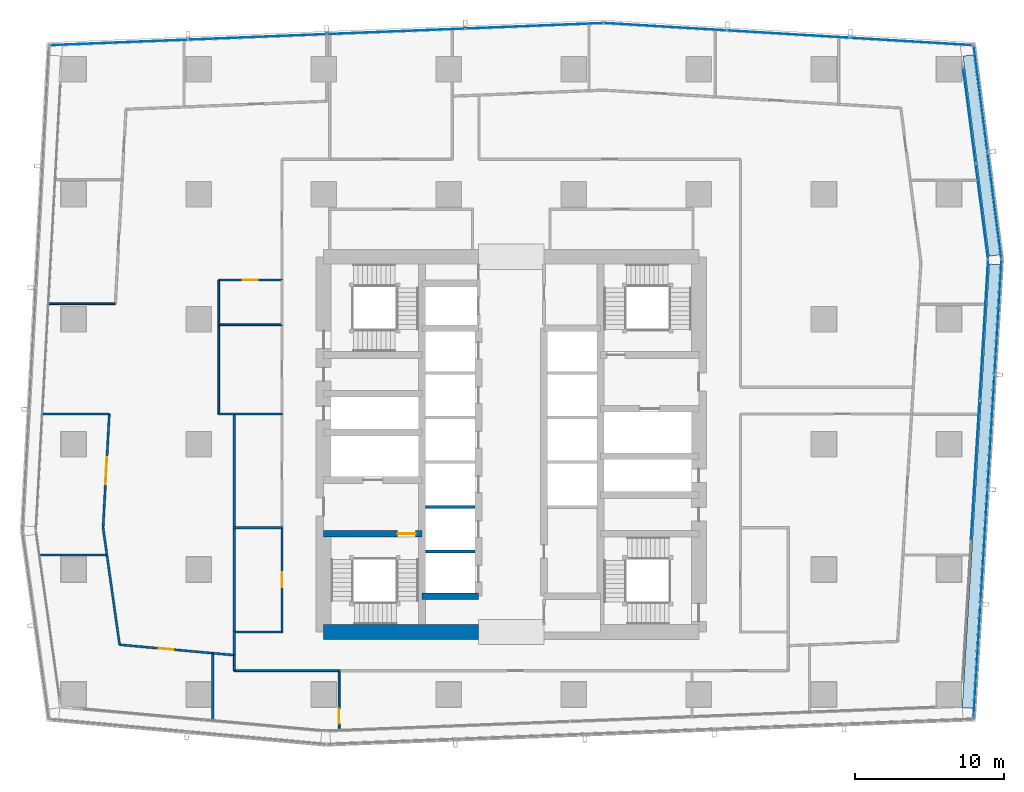
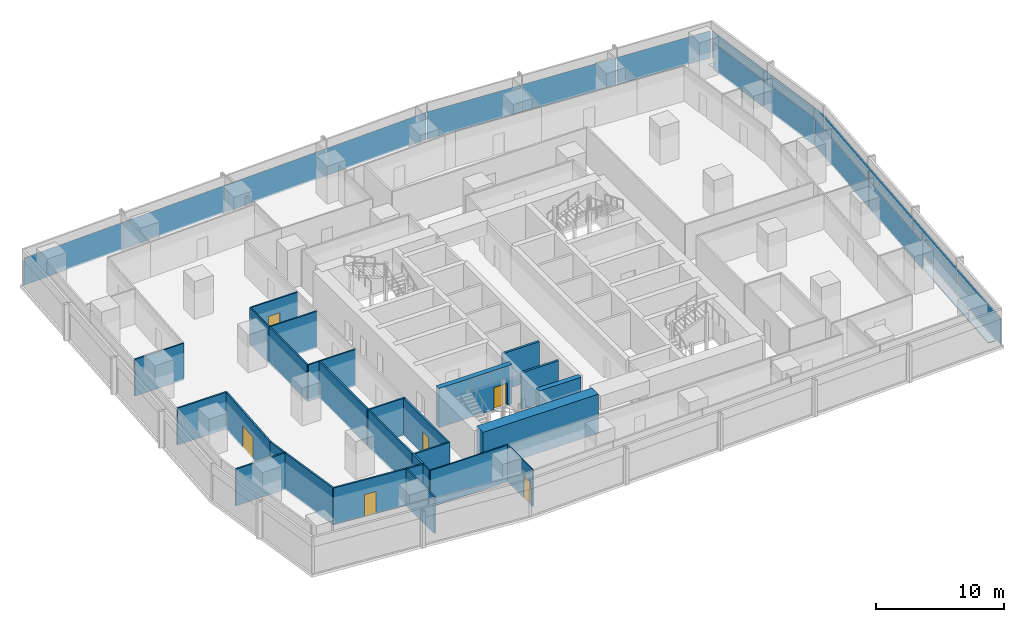
# One storey, part 28 of 40: 28 walls, 19 plates, 6 doors, 6 openings, 6 elements without a shape of their own.
"""IFC4 building model written with IfcOpenShell, lengths in metres."""

from ifc_helpers import new_model, si_unit, direction, frame, frame_2d, origin, origin_2d, place, context, subcontext, project, spatial, rectangle, extrude, material, layer, layer_set, type_object, element, fill, aggregate, save


model = new_model("IFC4")

# Units and contexts
model_context = context("Model", 3, precision=1e-05, world=origin(), true_north=direction((0.0, 1.0)))
body_context = subcontext(model_context, "Body", "Model", "MODEL_VIEW")
ifc_project = project(units=[si_unit("LENGTHUNIT", "METRE"), si_unit("AREAUNIT", "SQUARE_METRE"), si_unit("VOLUMEUNIT", "CUBIC_METRE"), si_unit("PLANEANGLEUNIT", "RADIAN"), si_unit("MASSUNIT", "GRAM", prefix="KILO")], contexts=[model_context])

# Site, building, storey
site_placement = place(None, origin())
site = spatial("IfcSite", under=ifc_project, at=site_placement, CompositionType="ELEMENT")
building_placement = place(site_placement, origin())
building = spatial("IfcBuilding", under=site, at=building_placement, Name="Rekha Terrace Tower", CompositionType="ELEMENT")
storey_placement = place(building_placement, frame((0.0, 0.0, 102.800048828125)))
storey = spatial("IfcBuildingStorey", under=building, at=storey_placement, Name="L25", CompositionType="ELEMENT", Elevation=102.800048828125)

# Curtain wall, plates
ifc_material_1 = material(Name="Aluminium framing", Category="aluminium")
curtain_wall_type_1 = type_object("IfcCurtainWallType", Name="CW1 double skin inner glazing", PredefinedType="USERDEFINED", material=ifc_material_1)
curtain_wall_1_placement = place(storey_placement, origin())
curtain_wall_1 = element("IfcCurtainWall", 1, at=curtain_wall_1_placement, inside=storey, type_object=curtain_wall_type_1, Name="CW1 double skin inner glazing", ObjectType="DOUBLE SKIN INNER GLAZING", PredefinedType="USERDEFINED")
ifc_material_2 = material(Name="Double-glazed low-e unit 32", Category="glass")
ifc_layer_1 = layer(ifc_material_2, 0.031982421875)
ifc_layer_set_1 = layer_set([ifc_layer_1], Name="Double-glazed low-e unit 32")
plate_type_1 = type_object("IfcPlateType", Name="CW1 jumbo vision panel, double-glazed low-e unit 32", PredefinedType="CURTAIN_PANEL", material=ifc_layer_set_1)
plate_1_placement = place(storey_placement, frame((68.968505859375, 31.8193359375, 0.0), z_axis=(0.0, 0.0, 1.0), x_axis=(0.061159803131, 0.998127987024, 0.0)))
plate_1 = element("IfcPlate", 2, at=plate_1_placement, type_object=plate_type_1, Name="CW1 panel 2.1", PredefinedType="CURTAIN_PANEL", context=body_context, shape_type="SweptSolid", body=[
    extrude(rectangle(XDim=9.3876953125, YDim=0.031982421875, at=origin_2d()), origin(), (0.0, 0.0, 1.0), 2.60009765625),
])
plate_2_placement = place(storey_placement, frame((69.547607421875, 41.2705078125, 0.0), z_axis=(0.0, 0.0, 1.0), x_axis=(0.061159803131, 0.998127987024, 0.0)))
plate_2 = element("IfcPlate", 3, at=plate_2_placement, type_object=plate_type_1, Name="CW1 panel 3.1", PredefinedType="CURTAIN_PANEL", context=body_context, shape_type="SweptSolid", body=[
    extrude(rectangle(XDim=9.420166015625, YDim=0.031982421875, at=origin_2d()), origin(), (0.0, 0.0, 1.0), 2.60009765625),
])
aggregate(curtain_wall_1, [plate_1, plate_2])

curtain_wall_2_placement = place(storey_placement, origin())
curtain_wall_2 = element("IfcCurtainWall", 4, at=curtain_wall_2_placement, inside=storey, type_object=curtain_wall_type_1, Name="CW1 double skin inner glazing", ObjectType="DOUBLE SKIN INNER GLAZING", PredefinedType="USERDEFINED")
plate_3_placement = place(storey_placement, frame((69.411376953125, 49.230712890625, 0.0), z_axis=(0.0, 0.0, 1.0), x_axis=(-0.129118383675, 0.991629186237, 0.0)))
plate_3 = element("IfcPlate", 5, at=plate_3_placement, type_object=plate_type_1, Name="CW1 panel 1.1", PredefinedType="CURTAIN_PANEL", context=body_context, shape_type="SweptSolid", body=[
    extrude(rectangle(XDim=6.443115234375, YDim=0.031982421875, at=origin_2d()), origin(), (0.0, 0.0, 1.0), 2.60009765625),
])
plate_4_placement = place(storey_placement, frame((68.571044921875, 55.68408203125, 0.0), z_axis=(0.0, 0.0, 1.0), x_axis=(-0.129118383675, 0.991629186237, 0.0)))
plate_4 = element("IfcPlate", 6, at=plate_4_placement, type_object=plate_type_1, Name="CW1 panel 2.1", PredefinedType="CURTAIN_PANEL", context=body_context, shape_type="SweptSolid", body=[
    extrude(rectangle(XDim=6.443115234375, YDim=0.031982421875, at=origin_2d()), origin(), (0.0, 0.0, 1.0), 2.60009765625),
])
aggregate(curtain_wall_2, [plate_3, plate_4])

curtain_wall_type_2 = type_object("IfcCurtainWallType", Name="CW2 double skin outer glazing", PredefinedType="USERDEFINED", material=ifc_material_1)
curtain_wall_3_placement = place(storey_placement, origin())
curtain_wall_3 = element("IfcCurtainWall", 7, at=curtain_wall_3_placement, inside=storey, type_object=curtain_wall_type_2, Name="CW2 double skin outer glazing", ObjectType="DOUBLE SKIN OUTER GLAZING", PredefinedType="USERDEFINED")
ifc_material_3 = material(Name="Toughened single glazing 12", Category="glass")
ifc_layer_2 = layer(ifc_material_3, 0.011962890625)
ifc_layer_set_2 = layer_set([ifc_layer_2], Name="Toughened single glazing 12")
plate_type_2 = type_object("IfcPlateType", Name="CW2 jumbo vision panel, toughened single glazing 12", PredefinedType="CURTAIN_PANEL", material=ifc_layer_set_2)
plate_5_placement = place(storey_placement, frame((69.086669921875, 19.0302734375, 0.0), z_axis=(0.0, 0.0, 1.0), x_axis=(0.061159803131, 0.998127987024, 0.0)))
plate_5 = element("IfcPlate", 8, at=plate_5_placement, type_object=plate_type_2, Name="CW2 panel 1.1", PredefinedType="CURTAIN_PANEL", context=body_context, shape_type="SweptSolid", body=[
    extrude(rectangle(XDim=7.6064453125, YDim=0.011962890625, at=origin_2d()), origin(), (0.0, 0.0, 1.0), 2.60009765625),
])
plate_6_placement = place(storey_placement, frame((69.557861328125, 26.722412109375, 0.0), z_axis=(0.0, 0.0, 1.0), x_axis=(0.061159803131, 0.998127987024, 0.0)))
plate_6 = element("IfcPlate", 9, at=plate_6_placement, type_object=plate_type_2, Name="CW2 panel 2.1", PredefinedType="CURTAIN_PANEL", context=body_context, shape_type="SweptSolid", body=[
    extrude(rectangle(XDim=7.646484375, YDim=0.011962890625, at=origin_2d()), origin(), (0.0, 0.0, 1.0), 2.60009765625),
])
plate_7_placement = place(storey_placement, frame((70.030517578125, 34.434326171875, 0.0), z_axis=(0.0, 0.0, 1.0), x_axis=(0.061159803131, 0.998127987024, 0.0)))
plate_7 = element("IfcPlate", 10, at=plate_7_placement, type_object=plate_type_2, Name="CW2 panel 3.1", PredefinedType="CURTAIN_PANEL", context=body_context, shape_type="SweptSolid", body=[
    extrude(rectangle(XDim=7.646484375, YDim=0.011962890625, at=origin_2d()), origin(), (0.0, 0.0, 1.0), 2.60009765625),
])
plate_8_placement = place(storey_placement, frame((70.50439453125, 42.16650390625, 0.0), z_axis=(0.0, 0.0, 1.0), x_axis=(0.061159803131, 0.998127987024, 0.0)))
plate_8 = element("IfcPlate", 11, at=plate_8_placement, type_object=plate_type_2, Name="CW2 panel 4.1", PredefinedType="CURTAIN_PANEL", context=body_context, shape_type="SweptSolid", body=[
    extrude(rectangle(XDim=7.6865234375, YDim=0.011962890625, at=origin_2d()), origin(), (0.0, 0.0, 1.0), 2.60009765625),
])
aggregate(curtain_wall_3, [plate_5, plate_6, plate_7, plate_8])

curtain_wall_4_placement = place(storey_placement, origin())
curtain_wall_4 = element("IfcCurtainWall", 12, at=curtain_wall_4_placement, inside=storey, type_object=curtain_wall_type_2, Name="CW2 double skin outer glazing", ObjectType="DOUBLE SKIN OUTER GLAZING", PredefinedType="USERDEFINED")
plate_9_placement = place(storey_placement, frame((70.2666015625, 49.6337890625, 0.0), z_axis=(0.0, 0.0, 1.0), x_axis=(-0.129118383623, 0.991629186244, 0.0)))
plate_9 = element("IfcPlate", 13, at=plate_9_placement, type_object=plate_type_2, Name="CW2 panel 1.1", PredefinedType="CURTAIN_PANEL", context=body_context, shape_type="SweptSolid", body=[
    extrude(rectangle(XDim=7.163818359375, YDim=0.011962890625, at=origin_2d()), origin(), (0.0, 0.0, 1.0), 2.60009765625),
])
plate_10_placement = place(storey_placement, frame((69.331298828125, 56.81689453125, 0.0), z_axis=(0.0, 0.0, 1.0), x_axis=(-0.129118383623, 0.991629186244, 0.0)))
plate_10 = element("IfcPlate", 14, at=plate_10_placement, type_object=plate_type_2, Name="CW2 panel 2.1", PredefinedType="CURTAIN_PANEL", context=body_context, shape_type="SweptSolid", body=[
    extrude(rectangle(XDim=7.163818359375, YDim=0.011962890625, at=origin_2d()), origin(), (0.0, 0.0, 1.0), 2.60009765625),
])
aggregate(curtain_wall_4, [plate_9, plate_10])

curtain_wall_type_3 = type_object("IfcCurtainWallType", Name="CW3 north unitised glazing", PredefinedType="USERDEFINED", material=ifc_material_1)
curtain_wall_5_placement = place(storey_placement, origin())
curtain_wall_5 = element("IfcCurtainWall", 15, at=curtain_wall_5_placement, inside=storey, type_object=curtain_wall_type_3, Name="CW3 unitised curtain wall", ObjectType="UNITISED CURTAIN WALL", PredefinedType="USERDEFINED")
ifc_material_4 = material(Name="Double-glazed unit 28", Category="glass")
ifc_layer_3 = layer(ifc_material_4, 0.028076171875)
ifc_layer_set_3 = layer_set([ifc_layer_3], Name="Double-glazed unit 28")
plate_type_3 = type_object("IfcPlateType", Name="CW3 jumbo vision panel, double-glazed unit 28", PredefinedType="CURTAIN_PANEL", material=ifc_layer_set_3)
plate_11_placement = place(storey_placement, frame((64.6748046875, 60.65966796875, 0.0), z_axis=(0.0, 0.0, 1.0), x_axis=(-0.998199102701, 0.059987926837, 0.0)))
plate_11 = element("IfcPlate", 16, at=plate_11_placement, type_object=plate_type_3, Name="CW3 panel 1.1", PredefinedType="CURTAIN_PANEL", context=body_context, shape_type="SweptSolid", body=[
    extrude(rectangle(XDim=8.171630859375, YDim=0.028076171875, at=origin_2d()), origin(), (0.0, 0.0, 1.0), 2.60009765625),
])
plate_12_placement = place(storey_placement, frame((56.430419921875, 61.155029296875, 0.0), z_axis=(0.0, 0.0, 1.0), x_axis=(-0.998199102701, 0.059987926837, 0.0)))
plate_12 = element("IfcPlate", 17, at=plate_12_placement, type_object=plate_type_3, Name="CW3 panel 2.1", PredefinedType="CURTAIN_PANEL", context=body_context, shape_type="SweptSolid", body=[
    extrude(rectangle(XDim=8.20654296875, YDim=0.028076171875, at=origin_2d()), origin(), (0.0, 0.0, 1.0), 2.60009765625),
])
plate_13_placement = place(storey_placement, frame((48.1513671875, 61.652587890625, 0.0), z_axis=(0.0, 0.0, 1.0), x_axis=(-0.998199102701, 0.059987926837, 0.0)))
plate_13 = element("IfcPlate", 18, at=plate_13_placement, type_object=plate_type_3, Name="CW3 panel 3.1", PredefinedType="CURTAIN_PANEL", context=body_context, shape_type="SweptSolid", body=[
    extrude(rectangle(XDim=8.24169921875, YDim=0.028076171875, at=origin_2d()), origin(), (0.0, 0.0, 1.0), 2.60009765625),
])
aggregate(curtain_wall_5, [plate_11, plate_12, plate_13])

curtain_wall_6_placement = place(storey_placement, origin())
curtain_wall_6 = element("IfcCurtainWall", 19, at=curtain_wall_6_placement, inside=storey, type_object=curtain_wall_type_3, Name="CW3 unitised curtain wall", ObjectType="UNITISED CURTAIN WALL", PredefinedType="USERDEFINED")
plate_14_placement = place(storey_placement, frame((39.364501953125, 61.71240234375, 0.0), z_axis=(0.0, 0.0, 1.0), x_axis=(-0.999198398721, -0.040031987119, 0.0)))
plate_14 = element("IfcPlate", 20, at=plate_14_placement, type_object=plate_type_3, Name="CW3 panel 1.1", PredefinedType="CURTAIN_PANEL", context=body_context, shape_type="SweptSolid", body=[
    extrude(rectangle(XDim=9.214599609375, YDim=0.028076171875, at=origin_2d()), origin(), (0.0, 0.0, 1.0), 2.60009765625),
])
plate_15_placement = place(storey_placement, frame((30.06982421875, 61.340087890625, 0.0), z_axis=(0.0, 0.0, 1.0), x_axis=(-0.999198398721, -0.040031987119, 0.0)))
plate_15 = element("IfcPlate", 21, at=plate_15_placement, type_object=plate_type_3, Name="CW3 panel 2.1", PredefinedType="CURTAIN_PANEL", context=body_context, shape_type="SweptSolid", body=[
    extrude(rectangle(XDim=9.24951171875, YDim=0.028076171875, at=origin_2d()), origin(), (0.0, 0.0, 1.0), 2.60009765625),
])
plate_16_placement = place(storey_placement, frame((20.7578125, 60.967041015625, 0.0), z_axis=(0.0, 0.0, 1.0), x_axis=(-0.999198398721, -0.040031987119, 0.0)))
plate_16 = element("IfcPlate", 22, at=plate_16_placement, type_object=plate_type_3, Name="CW3 panel 3.1", PredefinedType="CURTAIN_PANEL", context=body_context, shape_type="SweptSolid", body=[
    extrude(rectangle(XDim=9.24951171875, YDim=0.028076171875, at=origin_2d()), origin(), (0.0, 0.0, 1.0), 2.60009765625),
])
plate_17_placement = place(storey_placement, frame((11.46337890625, 60.5947265625, 0.0), z_axis=(0.0, 0.0, 1.0), x_axis=(-0.999198398721, -0.040031987119, 0.0)))
plate_17 = element("IfcPlate", 23, at=plate_17_placement, type_object=plate_type_3, Name="CW3 panel 4.1", PredefinedType="CURTAIN_PANEL", context=body_context, shape_type="SweptSolid", body=[
    extrude(rectangle(XDim=9.214599609375, YDim=0.028076171875, at=origin_2d()), origin(), (0.0, 0.0, 1.0), 2.60009765625),
])
aggregate(curtain_wall_6, [plate_14, plate_15, plate_16, plate_17])

# Plates
ifc_material_5 = material(Name="Galvanised steel open grating", Category="steel")
ifc_layer_4 = layer(ifc_material_5, 0.050048828125)
ifc_layer_set_4 = layer_set([ifc_layer_4], Name="Galvanised steel open grating")
plate_type_4 = type_object("IfcPlateType", Name="GT1 cavity walkway grating 50", PredefinedType="USERDEFINED", material=ifc_layer_set_4)
plate_18_placement = place(storey_placement, frame((69.356201171875, 30.78759765625, 0.0), z_axis=(0.0, 0.0, 1.0), x_axis=(0.061159803131, 0.998127987024, 0.0)))
element("IfcPlate", 24, at=plate_18_placement, inside=storey, type_object=plate_type_4, Name="Cavity walkway grating", ObjectType="CAVITY WALKWAY GRATING", PredefinedType="USERDEFINED", context=body_context, shape_type="SweptSolid", body=[
    extrude(rectangle(XDim=29.85595703125, YDim=0.705078125, at=origin_2d()), origin(), (0.0, 0.0, 1.0), 0.050048828125),
])
plate_19_placement = place(storey_placement, frame((69.373779296875, 53.004150390625, 0.0), z_axis=(0.0, 0.0, 1.0), x_axis=(-0.129118383623, 0.991629186244, 0.0)))
element("IfcPlate", 25, at=plate_19_placement, inside=storey, type_object=plate_type_4, Name="Cavity walkway grating", ObjectType="CAVITY WALKWAY GRATING", PredefinedType="USERDEFINED", context=body_context, shape_type="SweptSolid", body=[
    extrude(rectangle(XDim=13.552734375, YDim=0.705078125, at=origin_2d()), origin(), (0.0, 0.0, 1.0), 0.050048828125),
])

# Wall
ifc_material_6 = material(Name="Concrete M70", Category="concrete")
ifc_layer_5 = layer(ifc_material_6, 0.449951171875)
ifc_layer_set_5 = layer_set([ifc_layer_5], Name="Concrete M70")
wall_type_1 = type_object("IfcWallType", Name="CI2 450 core internal shear wall", PredefinedType="SHEAR", material=ifc_layer_set_5)
wall_1_placement = place(storey_placement, frame((31.800048828125, 23.39990234375, 0.0), z_axis=(0.0, 0.0, 1.0), x_axis=(1.0, 0.0, 0.0)))
element("IfcWall", 26, at=wall_1_placement, inside=storey, type_object=wall_type_1, Name="Core wall Y234W L25", PredefinedType="SHEAR", context=body_context, shape_type="SweptSolid", body=[
    extrude(rectangle(XDim=3.800048828125, YDim=0.449951171875, at=frame_2d((1.89990234375, 0.0))), origin(), (0.0, 0.0, 1.0), 3.75),
])

# Wall, opening, door
wall_2_placement = place(storey_placement, frame((25.199951171875, 27.60009765625, 0.0), z_axis=(0.0, 0.0, 1.0), x_axis=(1.0, 0.0, 0.0)))
wall_2 = element("IfcWall", 27, at=wall_2_placement, inside=storey, type_object=wall_type_1, Name="Core wall Y276W L25", PredefinedType="SHEAR", context=body_context, shape_type="SweptSolid", body=[
    extrude(rectangle(XDim=6.60009765625, YDim=0.449951171875, at=frame_2d((3.300048828125, 0.0))), origin(), (0.0, 0.0, 1.0), 3.75),
])
opening_1_placement = place(wall_2_placement, frame((4.97509765625, 0.0, 0.0)))
opening_1 = element("IfcOpeningElement", 28, at=opening_1_placement, cuts=wall_2, Name="Opening D1", PredefinedType="OPENING", context=body_context, shape_type="SweptSolid", body=[
    extrude(rectangle(XDim=1.199951171875, YDim=2.10009765625, at=frame_2d((0.60009765625, 1.050048828125))), frame((0.0, 0.23486328125, 0.0), z_axis=(0.0, -1.0, 0.0), x_axis=(1.0, 0.0, 0.0)), (0.0, 0.0, 1.0), 0.469970703125),
])
ifc_material_7 = material(Name="Steel fire door", Category="steel")
door_type_1 = type_object("IfcDoorType", Name="D1 1200x2100 stair fire door", OperationType="SINGLE_SWING_RIGHT", PredefinedType="DOOR", material=ifc_material_7)
door_1_placement = place(opening_1_placement, origin())
door_1 = element("IfcDoor", 29, at=door_1_placement, inside=storey, type_object=door_type_1, Name="Stair ST1 door L25", OperationType="SINGLE_SWING_RIGHT", OverallHeight=2.10009765625, OverallWidth=1.199951171875, PredefinedType="DOOR", context=body_context, shape_type="SweptSolid", body=[
    extrude(rectangle(XDim=1.199951171875, YDim=2.10009765625, at=frame_2d((0.60009765625, 1.050048828125))), frame((0.0, 0.02490234375, 0.0), z_axis=(0.0, -1.0, 0.0), x_axis=(1.0, 0.0, 0.0)), (0.0, 0.0, 1.0), 0.050048828125),
])
fill(opening_1, door_1)

# Walls
ifc_layer_6 = layer(ifc_material_6, 1.0)
ifc_layer_set_6 = layer_set([ifc_layer_6], Name="Concrete M70")
wall_type_2 = type_object("IfcWallType", Name="SW2 1000 core outer shear wall", PredefinedType="SHEAR", material=ifc_layer_set_6)
wall_3_placement = place(storey_placement, frame((25.199951171875, 21.0, 0.0), z_axis=(0.0, 0.0, 1.0), x_axis=(1.0, 0.0, 0.0)))
element("IfcWall", 30, at=wall_3_placement, inside=storey, type_object=wall_type_2, Name="Core wall S1 L25", PredefinedType="SHEAR", context=body_context, shape_type="SweptSolid", body=[
    extrude(rectangle(XDim=10.400146484375, YDim=1.0, at=frame_2d((5.2001953125, 0.0))), origin(), (0.0, 0.0, 1.0), 3.75),
])
ifc_material_8 = material(Name="Concrete block masonry, 1 hour", Category="masonry")
ifc_layer_7 = layer(ifc_material_8, 0.14990234375)
ifc_layer_set_7 = layer_set([ifc_layer_7], Name="Concrete block masonry, 1 hour")
wall_type_3 = type_object("IfcWallType", Name="WP2 150 tenancy partition", PredefinedType="PARTITIONING", material=ifc_layer_set_7)
for number, where, z_axis, x_axis, name in (
    (31, (19.125, 21.0, 0.0), (0.0, 0.0, 1.0), (1.0, 0.0, 0.0), "Men's WC wall L25"),
    (32, (19.125, 28.0, 0.0), (0.0, 0.0, 1.0), (1.0, 0.0, 0.0), "Men's WC wall L25"),
):
    element("IfcWall", number, at=place(storey_placement, frame(where, z_axis=z_axis, x_axis=x_axis)), inside=storey, type_object=wall_type_3, Name=name, PredefinedType="PARTITIONING", context=body_context, shape_type="SweptSolid", body=[
        extrude(rectangle(XDim=3.35009765625, YDim=0.14990234375, at=frame_2d((1.675048828125, 0.0))), origin(), (0.0, 0.0, 1.0), 3.5),
    ])
wall_4_placement = place(storey_placement, frame((19.199951171875, 21.074951171875, 0.0), z_axis=(0.0, 0.0, 1.0), x_axis=(0.0, 1.0, 0.0)))
element("IfcWall", 33, at=wall_4_placement, inside=storey, type_object=wall_type_3, Name="Men's WC wall L25", PredefinedType="PARTITIONING", context=body_context, shape_type="SweptSolid", body=[
    extrude(rectangle(XDim=6.85009765625, YDim=0.14990234375, at=frame_2d((3.425048828125, 0.0))), origin(), (0.0, 0.0, 1.0), 3.5),
])

# Wall, opening, door
wall_5_placement = place(storey_placement, frame((22.39990234375, 21.074951171875, 0.0), z_axis=(0.0, 0.0, 1.0), x_axis=(0.0, 1.0, 0.0)))
wall_5 = element("IfcWall", 34, at=wall_5_placement, inside=storey, type_object=wall_type_3, Name="Men's WC wall L25", PredefinedType="PARTITIONING", context=body_context, shape_type="SweptSolid", body=[
    extrude(rectangle(XDim=6.85009765625, YDim=0.14990234375, at=frame_2d((3.425048828125, 0.0))), origin(), (0.0, 0.0, 1.0), 3.5),
])
opening_2_placement = place(wall_5_placement, frame((2.925048828125, 0.0, 0.0)))
opening_2 = element("IfcOpeningElement", 35, at=opening_2_placement, cuts=wall_5, Name="Opening D3", PredefinedType="OPENING", context=body_context, shape_type="SweptSolid", body=[
    extrude(rectangle(XDim=1.0, YDim=2.10009765625, at=frame_2d((0.5, 1.050048828125))), frame((0.0, 0.0849609375, 0.0), z_axis=(0.0, -1.0, 0.0), x_axis=(1.0, 0.0, 0.0)), (0.0, 0.0, 1.0), 0.169921875),
])
ifc_material_9 = material(Name="Laminated timber fire door", Category="wood")
door_type_2 = type_object("IfcDoorType", Name="D3 1000x2100 WC door", OperationType="SINGLE_SWING_LEFT", PredefinedType="DOOR", material=ifc_material_9)
door_2_placement = place(opening_2_placement, origin())
door_2 = element("IfcDoor", 36, at=door_2_placement, inside=storey, type_object=door_type_2, Name="Door men's wc L25", OperationType="SINGLE_SWING_LEFT", OverallHeight=2.10009765625, OverallWidth=1.0, PredefinedType="DOOR", context=body_context, shape_type="SweptSolid", body=[
    extrude(rectangle(XDim=1.0, YDim=2.10009765625, at=frame_2d((0.5, 1.050048828125))), frame((0.0, 0.02490234375, 0.0), z_axis=(0.0, -1.0, 0.0), x_axis=(1.0, 0.0, 0.0)), (0.0, 0.0, 1.0), 0.050048828125),
])
fill(opening_2, door_2)

# Walls
wall_6_placement = place(storey_placement, frame((19.199951171875, 35.574951171875, 0.0), z_axis=(0.0, 0.0, 1.0), x_axis=(0.0, -1.0, 0.0)))
element("IfcWall", 37, at=wall_6_placement, inside=storey, type_object=wall_type_3, Name="Partition L25-O2", PredefinedType="PARTITIONING", context=body_context, shape_type="SweptSolid", body=[
    extrude(rectangle(XDim=7.64990234375, YDim=0.14990234375, at=frame_2d((3.824951171875, 0.0))), origin(), (0.0, 0.0, 1.0), 3.5),
])
wall_7_placement = place(storey_placement, frame((19.199951171875, 21.074951171875, 0.0), z_axis=(0.0, 0.0, 1.0), x_axis=(0.0, -1.0, 0.0)))
element("IfcWall", 38, at=wall_7_placement, inside=storey, type_object=wall_type_3, Name="Partition L25-O2", PredefinedType="PARTITIONING", context=body_context, shape_type="SweptSolid", body=[
    extrude(rectangle(XDim=1.635986328125, YDim=0.14990234375, at=frame_2d((0.81787109375, 0.0))), origin(), (0.0, 0.0, 1.0), 3.5),
])
wall_8_placement = place(storey_placement, frame((19.199951171875, 19.43896484375, 0.0), z_axis=(0.0, 0.0, 1.0), x_axis=(-0.995920706464, 0.090232734836, 0.0)))
element("IfcWall", 39, at=wall_8_placement, inside=storey, type_object=wall_type_3, Name="Partition L25-O2", PredefinedType="PARTITIONING", context=body_context, shape_type="SweptSolid", body=[
    extrude(rectangle(XDim=1.452880859375, YDim=0.14990234375, at=frame_2d((0.7265625, 0.0))), origin(), (0.0, 0.0, 1.0), 3.5),
])
wall_9_placement = place(storey_placement, frame((17.7529296875, 19.570068359375, 0.0), z_axis=(0.0, 0.0, 1.0), x_axis=(0.0, -1.0, 0.0)))
element("IfcWall", 40, at=wall_9_placement, inside=storey, type_object=wall_type_3, Name="Partition L25-O2", PredefinedType="PARTITIONING", context=body_context, shape_type="SweptSolid", body=[
    extrude(rectangle(XDim=4.468017578125, YDim=0.14990234375, at=frame_2d((2.23388671875, 0.0))), origin(), (0.0, 0.0, 1.0), 3.5),
])

# Wall, opening, door
wall_10_placement = place(storey_placement, frame((17.751953125, 19.570068359375, 0.0), z_axis=(0.0, 0.0, 1.0), x_axis=(-0.995899251229, 0.090469229029, 0.0)))
wall_10 = element("IfcWall", 41, at=wall_10_placement, inside=storey, type_object=wall_type_3, Name="Partition L25-O2", PredefinedType="PARTITIONING", context=body_context, shape_type="SweptSolid", body=[
    extrude(rectangle(XDim=6.287841796875, YDim=0.14990234375, at=frame_2d((3.14404296875, 0.0))), origin(), (0.0, 0.0, 1.0), 3.5),
])
opening_3_placement = place(wall_10_placement, frame((2.64404296875, 0.0, 0.0)))
opening_3 = element("IfcOpeningElement", 42, at=opening_3_placement, cuts=wall_10, Name="Opening D9", PredefinedType="OPENING", context=body_context, shape_type="SweptSolid", body=[
    extrude(rectangle(XDim=1.0, YDim=2.10009765625, at=frame_2d((0.5, 1.050048828125))), frame((0.0, 0.0849609375, 0.0), z_axis=(0.0, -1.0, 0.0), x_axis=(1.0, 0.0, 0.0)), (0.0, 0.0, 1.0), 0.169921875),
])
ifc_material_10 = material(Name="Timber fire door", Category="wood")
door_type_3 = type_object("IfcDoorType", Name="D9 1000x2100 office door", OperationType="SINGLE_SWING_LEFT", PredefinedType="DOOR", material=ifc_material_10)
door_3_placement = place(opening_3_placement, origin())
door_3 = element("IfcDoor", 43, at=door_3_placement, inside=storey, type_object=door_type_3, Name="Door manager's office L25", OperationType="SINGLE_SWING_LEFT", OverallHeight=2.10009765625, OverallWidth=1.0, PredefinedType="DOOR", context=body_context, shape_type="SweptSolid", body=[
    extrude(rectangle(XDim=1.0, YDim=2.10009765625, at=frame_2d((0.5, 1.050048828125))), frame((0.0, 0.02490234375, 0.0), z_axis=(0.0, -1.0, 0.0), x_axis=(1.0, 0.0, 0.0)), (0.0, 0.0, 1.0), 0.050048828125),
])
fill(opening_3, door_3)

# Walls
wall_11_placement = place(storey_placement, frame((11.489990234375, 20.138916015625, 0.0), z_axis=(0.0, 0.0, 1.0), x_axis=(-0.139593505482, 0.990208893733, 0.0)))
element("IfcWall", 44, at=wall_11_placement, inside=storey, type_object=wall_type_3, Name="Partition L25-O2", PredefinedType="PARTITIONING", context=body_context, shape_type="SweptSolid", body=[
    extrude(rectangle(XDim=6.096923828125, YDim=0.14990234375, at=frame_2d((3.04833984375, 0.0))), origin(), (0.0, 0.0, 1.0), 3.5),
])
wall_12_placement = place(storey_placement, frame((10.638916015625, 26.176025390625, 0.0), z_axis=(0.0, 0.0, 1.0), x_axis=(-1.0, 0.0, 0.0)))
element("IfcWall", 45, at=wall_12_placement, inside=storey, type_object=wall_type_3, Name="Partition L25-O2", PredefinedType="PARTITIONING", context=body_context, shape_type="SweptSolid", body=[
    extrude(rectangle(XDim=4.493896484375, YDim=0.14990234375, at=frame_2d((2.2470703125, 0.0))), origin(), (0.0, 0.0, 1.0), 3.5),
])
wall_13_placement = place(storey_placement, frame((10.638916015625, 26.177001953125, 0.0), z_axis=(0.0, 0.0, 1.0), x_axis=(-0.139570739539, 0.990212102867, 0.0)))
element("IfcWall", 46, at=wall_13_placement, inside=storey, type_object=wall_type_3, Name="Partition L25-O2", PredefinedType="PARTITIONING", context=body_context, shape_type="SweptSolid", body=[
    extrude(rectangle(XDim=1.84716796875, YDim=0.14990234375, at=frame_2d((0.923583984375, 0.0))), origin(), (0.0, 0.0, 1.0), 3.5),
])

# Wall, opening, door
wall_14_placement = place(storey_placement, frame((10.381103515625, 28.006103515625, 0.0), z_axis=(0.0, 0.0, 1.0), x_axis=(0.054839895522, 0.998495160659, 0.0)))
wall_14 = element("IfcWall", 47, at=wall_14_placement, inside=storey, type_object=wall_type_3, Name="Partition L25-O2", PredefinedType="PARTITIONING", context=body_context, shape_type="SweptSolid", body=[
    extrude(rectangle(XDim=7.639404296875, YDim=0.14990234375, at=frame_2d((3.81982421875, 0.0))), origin(), (0.0, 0.0, 1.0), 3.5),
])
opening_4_placement = place(wall_14_placement, frame((2.919921875, 0.0, 0.0)))
opening_4 = element("IfcOpeningElement", 48, at=opening_4_placement, cuts=wall_14, Name="Opening D8", PredefinedType="OPENING", context=body_context, shape_type="SweptSolid", body=[
    extrude(rectangle(XDim=1.800048828125, YDim=2.10009765625, at=frame_2d((0.89990234375, 1.050048828125))), frame((0.0, 0.0849609375, 0.0), z_axis=(0.0, -1.0, 0.0), x_axis=(1.0, 0.0, 0.0)), (0.0, 0.0, 1.0), 0.169921875),
])
door_type_4 = type_object("IfcDoorType", Name="D8 1800x2100 double leaf door", OperationType="DOUBLE_DOOR_SINGLE_SWING", PredefinedType="DOOR", material=ifc_material_10)
door_4_placement = place(opening_4_placement, origin())
door_4 = element("IfcDoor", 49, at=door_4_placement, inside=storey, type_object=door_type_4, Name="Door meeting room L25", OperationType="DOUBLE_DOOR_SINGLE_SWING", OverallHeight=2.10009765625, OverallWidth=1.800048828125, PredefinedType="DOOR", context=body_context, shape_type="SweptSolid", body=[
    extrude(rectangle(XDim=1.800048828125, YDim=2.10009765625, at=frame_2d((0.89990234375, 1.050048828125))), frame((0.0, 0.02490234375, 0.0), z_axis=(0.0, -1.0, 0.0), x_axis=(1.0, 0.0, 0.0)), (0.0, 0.0, 1.0), 0.050048828125),
])
fill(opening_4, door_4)

# Walls
wall_15_placement = place(storey_placement, frame((10.800048828125, 35.634033203125, 0.0), z_axis=(0.0, 0.0, 1.0), x_axis=(-1.0, 0.0, 0.0)))
element("IfcWall", 50, at=wall_15_placement, inside=storey, type_object=wall_type_3, Name="Partition L25-O2", PredefinedType="PARTITIONING", context=body_context, shape_type="SweptSolid", body=[
    extrude(rectangle(XDim=4.45703125, YDim=0.14990234375, at=frame_2d((2.228515625, 0.0))), origin(), (0.0, 0.0, 1.0), 3.5),
])
ifc_material_11 = material(Name="Two layers of fire-rated gypsum board each side on steel studs, acoustic quilt, 1 hour", Category="steel")
ifc_layer_8 = layer(ifc_material_11, 0.125)
ifc_layer_set_8 = layer_set([ifc_layer_8], Name="Two layers of fire-rated gypsum board each side on steel studs, acoustic quilt, 1 hour")
wall_type_4 = type_object("IfcWallType", Name="WP3 125 office partition", PredefinedType="PARTITIONING", material=ifc_layer_set_8)
wall_16_placement = place(storey_placement, frame((11.2060546875, 43.0458984375, 0.0), z_axis=(0.0, 0.0, 1.0), x_axis=(-1.0, 0.0, 0.0)))
element("IfcWall", 51, at=wall_16_placement, inside=storey, type_object=wall_type_4, Name="Partition L25-15", PredefinedType="PARTITIONING", context=body_context, shape_type="SweptSolid", body=[
    extrude(rectangle(XDim=4.427001953125, YDim=0.125, at=frame_2d((2.21337890625, 0.0))), origin(), (0.0, 0.0, 1.0), 3.5),
])
wall_17_placement = place(storey_placement, frame((18.14990234375, 35.637939453125, 0.0), z_axis=(0.0, 0.0, 1.0), x_axis=(0.0, 1.0, 0.0)))
element("IfcWall", 52, at=wall_17_placement, inside=storey, type_object=wall_type_4, Name="Partition L25-16", PredefinedType="PARTITIONING", context=body_context, shape_type="SweptSolid", body=[
    extrude(rectangle(XDim=5.9990234375, YDim=0.125, at=frame_2d((2.99951171875, 0.0))), origin(), (0.0, 0.0, 1.0), 3.5),
])
for number, where, z_axis, x_axis, name in (
    (53, (18.14990234375, 41.636962890625, 0.0), (0.0, 0.0, 1.0), (1.0, 0.0, 0.0), "Partition L25-16"),
    (54, (22.39990234375, 35.637939453125, 0.0), (0.0, 0.0, 1.0), (-1.0, 0.0, 0.0), "Partition L25-16"),
):
    element("IfcWall", number, at=place(storey_placement, frame(where, z_axis=z_axis, x_axis=x_axis)), inside=storey, type_object=wall_type_4, Name=name, PredefinedType="PARTITIONING", context=body_context, shape_type="SweptSolid", body=[
        extrude(rectangle(XDim=4.25, YDim=0.125, at=frame_2d((2.125, 0.0))), origin(), (0.0, 0.0, 1.0), 3.5),
    ])
wall_18_placement = place(storey_placement, frame((18.14990234375, 41.636962890625, 0.0), z_axis=(0.0, 0.0, 1.0), x_axis=(0.0, 1.0, 0.0)))
element("IfcWall", 55, at=wall_18_placement, inside=storey, type_object=wall_type_4, Name="Partition L25-17", PredefinedType="PARTITIONING", context=body_context, shape_type="SweptSolid", body=[
    extrude(rectangle(XDim=3.0, YDim=0.125, at=frame_2d((1.5, 0.0))), origin(), (0.0, 0.0, 1.0), 3.5),
])

# Wall, opening, door
wall_19_placement = place(storey_placement, frame((18.14990234375, 44.636962890625, 0.0), z_axis=(0.0, 0.0, 1.0), x_axis=(1.0, 0.0, 0.0)))
wall_19 = element("IfcWall", 56, at=wall_19_placement, inside=storey, type_object=wall_type_4, Name="Partition L25-17", PredefinedType="PARTITIONING", context=body_context, shape_type="SweptSolid", body=[
    extrude(rectangle(XDim=4.25, YDim=0.125, at=frame_2d((2.125, 0.0))), origin(), (0.0, 0.0, 1.0), 3.5),
])
opening_5_placement = place(wall_19_placement, frame((1.625, 0.0, 0.0)))
opening_5 = element("IfcOpeningElement", 57, at=opening_5_placement, cuts=wall_19, Name="Opening D9", PredefinedType="OPENING", context=body_context, shape_type="SweptSolid", body=[
    extrude(rectangle(XDim=1.0, YDim=2.10009765625, at=frame_2d((0.5, 1.050048828125))), frame((0.0, 0.072509765625, 0.0), z_axis=(0.0, -1.0, 0.0), x_axis=(1.0, 0.0, 0.0)), (0.0, 0.0, 1.0), 0.14501953125),
])
door_5_placement = place(opening_5_placement, origin())
door_5 = element("IfcDoor", 58, at=door_5_placement, inside=storey, type_object=door_type_3, Name="Door print room L25", OperationType="SINGLE_SWING_LEFT", OverallHeight=2.10009765625, OverallWidth=1.0, PredefinedType="DOOR", context=body_context, shape_type="SweptSolid", body=[
    extrude(rectangle(XDim=1.0, YDim=2.10009765625, at=frame_2d((0.5, 1.050048828125))), frame((0.0, 0.02490234375, 0.0), z_axis=(0.0, -1.0, 0.0), x_axis=(1.0, 0.0, 0.0)), (0.0, 0.0, 1.0), 0.050048828125),
])
fill(opening_5, door_5)

# Wall
wall_20_placement = place(storey_placement, frame((19.199951171875, 18.39990234375, 0.0), z_axis=(0.0, 0.0, 1.0), x_axis=(1.0, 0.0, 0.0)))
element("IfcWall", 59, at=wall_20_placement, inside=storey, type_object=wall_type_4, Name="Partition L25-20", PredefinedType="PARTITIONING", context=body_context, shape_type="SweptSolid", body=[
    extrude(rectangle(XDim=7.033935546875, YDim=0.125, at=frame_2d((3.51708984375, 0.0))), origin(), (0.0, 0.0, 1.0), 3.5),
])

# Wall, opening, door
wall_21_placement = place(storey_placement, frame((26.23388671875, 18.39990234375, 0.0), z_axis=(0.0, 0.0, 1.0), x_axis=(0.0, -1.0, 0.0)))
wall_21 = element("IfcWall", 60, at=wall_21_placement, inside=storey, type_object=wall_type_4, Name="Partition L25-20", PredefinedType="PARTITIONING", context=body_context, shape_type="SweptSolid", body=[
    extrude(rectangle(XDim=3.953857421875, YDim=0.125, at=frame_2d((1.97705078125, 0.0))), origin(), (0.0, 0.0, 1.0), 3.5),
])
opening_6_placement = place(wall_21_placement, frame((2.56201171875, 0.0, 0.0)))
opening_6 = element("IfcOpeningElement", 61, at=opening_6_placement, cuts=wall_21, Name="Opening D9", PredefinedType="OPENING", context=body_context, shape_type="SweptSolid", body=[
    extrude(rectangle(XDim=1.0, YDim=2.10009765625, at=frame_2d((0.5, 1.050048828125))), frame((0.0, 0.072509765625, 0.0), z_axis=(0.0, -1.0, 0.0), x_axis=(1.0, 0.0, 0.0)), (0.0, 0.0, 1.0), 0.14501953125),
])
door_6_placement = place(opening_6_placement, origin())
door_6 = element("IfcDoor", 62, at=door_6_placement, inside=storey, type_object=door_type_3, Name="Door breakout lounge L25", OperationType="SINGLE_SWING_LEFT", OverallHeight=2.10009765625, OverallWidth=1.0, PredefinedType="DOOR", context=body_context, shape_type="SweptSolid", body=[
    extrude(rectangle(XDim=1.0, YDim=2.10009765625, at=frame_2d((0.5, 1.050048828125))), frame((0.0, 0.02490234375, 0.0), z_axis=(0.0, -1.0, 0.0), x_axis=(1.0, 0.0, 0.0)), (0.0, 0.0, 1.0), 0.050048828125),
])
fill(opening_6, door_6)

# Walls
wall_22_placement = place(storey_placement, frame((19.199951171875, 19.43896484375, 0.0), z_axis=(0.0, 0.0, 1.0), x_axis=(0.0, -1.0, 0.0)))
element("IfcWall", 63, at=wall_22_placement, inside=storey, type_object=wall_type_4, Name="Partition L25-20", PredefinedType="PARTITIONING", context=body_context, shape_type="SweptSolid", body=[
    extrude(rectangle(XDim=1.0390625, YDim=0.125, at=frame_2d((0.51953125, 0.0))), origin(), (0.0, 0.0, 1.0), 3.5),
])
ifc_material_12 = material(Name="Solid concrete block masonry, 2 hour", Category="masonry")
ifc_layer_9 = layer(ifc_material_12, 0.199951171875)
ifc_layer_set_9 = layer_set([ifc_layer_9], Name="Solid concrete block masonry, 2 hour")
wall_type_5 = type_object("IfcWallType", Name="WS1 200 stair and shaft enclosure", PredefinedType="PARTITIONING", material=ifc_layer_set_9)
for number, where, z_axis, x_axis, name in (
    (64, (32.02490234375, 26.39990234375, 0.0), (0.0, 0.0, 1.0), (1.0, 0.0, 0.0), "Lift shaft divider L25"),
    (65, (32.02490234375, 29.39990234375, 0.0), (0.0, 0.0, 1.0), (1.0, 0.0, 0.0), "Lift shaft divider L25"),
):
    element("IfcWall", number, at=place(storey_placement, frame(where, z_axis=z_axis, x_axis=x_axis)), inside=storey, type_object=wall_type_5, Name=name, PredefinedType="PARTITIONING", context=body_context, shape_type="SweptSolid", body=[
        extrude(rectangle(XDim=3.35009765625, YDim=0.199951171875, at=frame_2d((1.675048828125, 0.0))), origin(), (0.0, 0.0, 1.0), 3.5),
    ])

save(model, "model.ifc")
